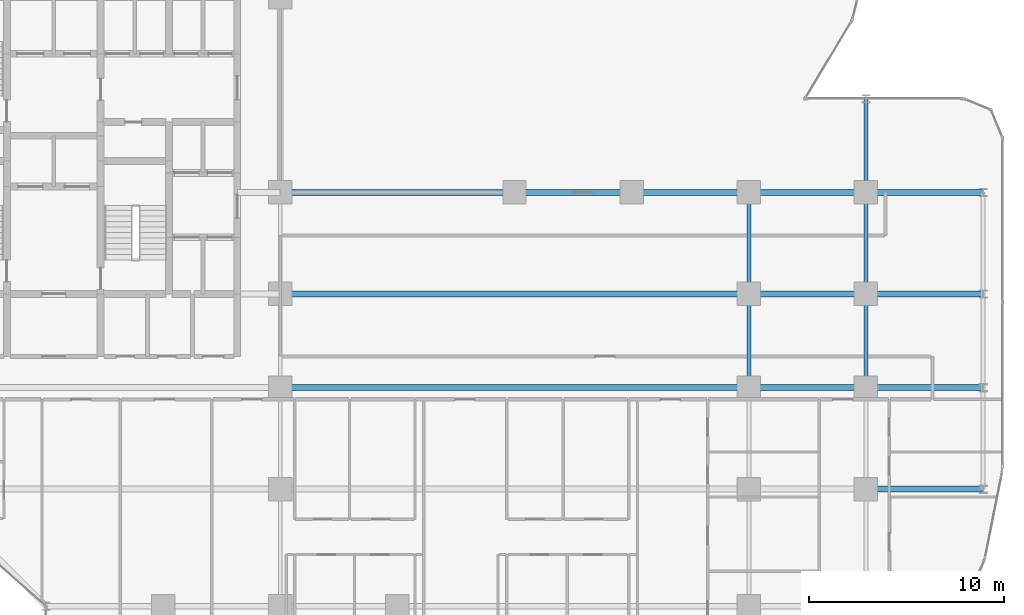
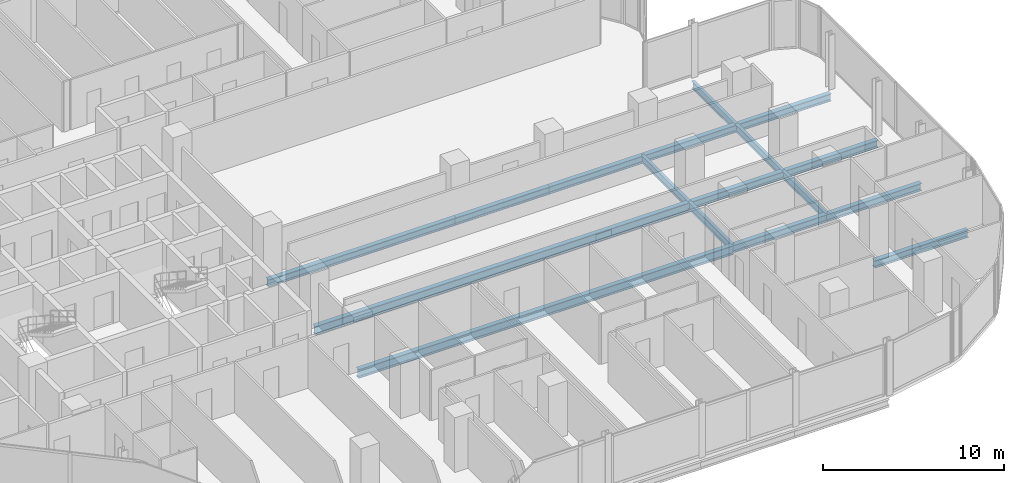
# One storey, part 11 of 33: 17 beams.
"""IFC4 building model written with IfcOpenShell, lengths in metres."""

from ifc_helpers import new_model, si_unit, direction, frame, origin, origin_2d, place, context, subcontext, project, spatial, i_section, extrude, material, material_profile, profile_set, type_object, element, save


model = new_model("IFC4")

# Units and contexts
model_context = context("Model", 3, precision=1e-05, world=origin(), true_north=direction((0.0, 1.0)))
body_context = subcontext(model_context, "Body", "Model", "MODEL_VIEW")
ifc_project = project(units=[si_unit("LENGTHUNIT", "METRE"), si_unit("AREAUNIT", "SQUARE_METRE"), si_unit("VOLUMEUNIT", "CUBIC_METRE"), si_unit("PLANEANGLEUNIT", "RADIAN"), si_unit("MASSUNIT", "GRAM", prefix="KILO")], contexts=[model_context])

# Site, building, storey
site_placement = place(None, origin())
site = spatial("IfcSite", under=ifc_project, at=site_placement, CompositionType="ELEMENT")
building_placement = place(site_placement, origin())
building = spatial("IfcBuilding", under=site, at=building_placement, Name="Keshet Zoharim Tower", CompositionType="ELEMENT")
storey_placement = place(building_placement, frame((0.0, 0.0, 73.800048828125)))
storey = spatial("IfcBuildingStorey", under=building, at=storey_placement, Name="L17", CompositionType="ELEMENT", Elevation=73.800048828125)

# Beams
ifc_material = material(Name="Steel S355", Category="steel")
ifc_material_profile_1 = material_profile(ifc_material, i_section(OverallWidth=0.300048828125, OverallDepth=0.60009765625, WebThickness=0.015380859375, FlangeThickness=0.030029296875, FilletRadius=0.027099609375, at=origin_2d()), Name="HEB600")
ifc_profile_set_1 = profile_set([ifc_material_profile_1], Name="Steel S355")
beam_type_1 = type_object("IfcBeamType", Name="BM-LNG-HB600", PredefinedType="BEAM", material=ifc_profile_set_1)
for number, where, z_axis, x_axis, name in (
    (1, (33.0, 17.89990234375, -0.614990234375), (1.0, 0.0, 0.0), (0.0, 1.0, 0.0), "L17 Primary Girder X-017"),
    (2, (33.0, 22.699951171875, -0.614990234375), (1.0, 0.0, 0.0), (0.0, 1.0, 0.0), "L17 Primary Girder X-020"),
):
    element("IfcBeam", number, at=place(storey_placement, frame(where, z_axis=z_axis, x_axis=x_axis)), inside=storey, type_object=beam_type_1, Name=name, PredefinedType="BEAM", context=body_context, shape_type="SweptSolid", body=[
        extrude(i_section(OverallWidth=0.300048828125, OverallDepth=0.60009765625, WebThickness=0.015380859375, FlangeThickness=0.030029296875, FilletRadius=0.027099609375, at=origin_2d()), origin(), (0.0, 0.0, 1.0), 24.0),
    ])
ifc_material_profile_2 = material_profile(ifc_material, i_section(OverallWidth=0.300048828125, OverallDepth=0.5, WebThickness=0.014404296875, FlangeThickness=0.028076171875, FilletRadius=0.027099609375, at=origin_2d()), Name="HEB500")
ifc_profile_set_2 = profile_set([ifc_material_profile_2], Name="Steel S355")
beam_type_2 = type_object("IfcBeamType", Name="BM-MED-HB500", PredefinedType="BEAM", material=ifc_profile_set_2)
beam_1_placement = place(storey_placement, frame((33.0, 27.89990234375, -0.56494140625), z_axis=(1.0, 0.0, 0.0), x_axis=(0.0, 1.0, 0.0)))
element("IfcBeam", 3, at=beam_1_placement, inside=storey, type_object=beam_type_2, Name="L17 Primary Girder X-023", PredefinedType="BEAM", context=body_context, shape_type="SweptSolid", body=[
    extrude(i_section(OverallWidth=0.300048828125, OverallDepth=0.5, WebThickness=0.014404296875, FlangeThickness=0.028076171875, FilletRadius=0.027099609375, at=origin_2d()), origin(), (0.0, 0.0, 1.0), 12.0),
])
ifc_material_profile_3 = material_profile(ifc_material, i_section(OverallWidth=0.199951171875, OverallDepth=0.5, WebThickness=0.01025390625, FlangeThickness=0.01611328125, FilletRadius=0.02099609375, at=origin_2d()), Name="IPE500")
ifc_profile_set_3 = profile_set([ifc_material_profile_3], Name="Steel S355")
beam_type_3 = type_object("IfcBeamType", Name="BM-PRI-IP500", PredefinedType="BEAM", material=ifc_profile_set_3)
beam_2_placement = place(storey_placement, frame((57.0, 17.89990234375, -0.56494140625), z_axis=(0.0, 1.0, 0.0), x_axis=(-1.0, 0.0, 0.0)))
element("IfcBeam", 4, at=beam_2_placement, inside=storey, type_object=beam_type_3, Name="L17 Primary Girder Y-016", PredefinedType="BEAM", context=body_context, shape_type="SweptSolid", body=[
    extrude(i_section(OverallWidth=0.199951171875, OverallDepth=0.5, WebThickness=0.01025390625, FlangeThickness=0.01611328125, FilletRadius=0.02099609375, at=origin_2d()), origin(), (0.0, 0.0, 1.0), 4.800048828125),
])
beam_3_placement = place(storey_placement, frame((57.0, 22.699951171875, -0.56494140625), z_axis=(0.0, 1.0, 0.0), x_axis=(-1.0, 0.0, 0.0)))
element("IfcBeam", 5, at=beam_3_placement, inside=storey, type_object=beam_type_3, Name="L17 Primary Girder Y-017", PredefinedType="BEAM", context=body_context, shape_type="SweptSolid", body=[
    extrude(i_section(OverallWidth=0.199951171875, OverallDepth=0.5, WebThickness=0.01025390625, FlangeThickness=0.01611328125, FilletRadius=0.02099609375, at=origin_2d()), origin(), (0.0, 0.0, 1.0), 5.199951171875),
])
beam_4_placement = place(storey_placement, frame((63.0, 17.89990234375, -0.56494140625), z_axis=(0.0, 1.0, 0.0), x_axis=(-1.0, 0.0, 0.0)))
element("IfcBeam", 6, at=beam_4_placement, inside=storey, type_object=beam_type_3, Name="L17 Primary Girder Y-020", PredefinedType="BEAM", context=body_context, shape_type="SweptSolid", body=[
    extrude(i_section(OverallWidth=0.199951171875, OverallDepth=0.5, WebThickness=0.01025390625, FlangeThickness=0.01611328125, FilletRadius=0.02099609375, at=origin_2d()), origin(), (0.0, 0.0, 1.0), 4.800048828125),
])
beam_5_placement = place(storey_placement, frame((63.0, 22.699951171875, -0.56494140625), z_axis=(0.0, 1.0, 0.0), x_axis=(-1.0, 0.0, 0.0)))
element("IfcBeam", 7, at=beam_5_placement, inside=storey, type_object=beam_type_3, Name="L17 Primary Girder Y-021", PredefinedType="BEAM", context=body_context, shape_type="SweptSolid", body=[
    extrude(i_section(OverallWidth=0.199951171875, OverallDepth=0.5, WebThickness=0.01025390625, FlangeThickness=0.01611328125, FilletRadius=0.02099609375, at=origin_2d()), origin(), (0.0, 0.0, 1.0), 5.199951171875),
])
beam_6_placement = place(storey_placement, frame((63.0, 27.89990234375, -0.56494140625), z_axis=(0.0, 1.0, 0.0), x_axis=(-1.0, 0.0, 0.0)))
element("IfcBeam", 8, at=beam_6_placement, inside=storey, type_object=beam_type_3, Name="L17 Primary Girder Y-022", PredefinedType="BEAM", context=body_context, shape_type="SweptSolid", body=[
    extrude(i_section(OverallWidth=0.199951171875, OverallDepth=0.5, WebThickness=0.01025390625, FlangeThickness=0.01611328125, FilletRadius=0.02099609375, at=origin_2d()), origin(), (0.0, 0.0, 1.0), 4.800048828125),
])
ifc_material_profile_4 = material_profile(ifc_material, i_section(OverallWidth=0.300048828125, OverallDepth=0.5, WebThickness=0.014404296875, FlangeThickness=0.028076171875, FilletRadius=0.027099609375, at=origin_2d()), Name="HEB500")
ifc_profile_set_4 = profile_set([ifc_material_profile_4], Name="Steel S355")
beam_type_4 = type_object("IfcBeamType", Name="BM-WEB-HB500", PredefinedType="BEAM", material=ifc_profile_set_4)
for number, where, z_axis, x_axis, name in (
    (9, (63.0, 12.699951171875, -0.56494140625), (1.0, 0.0, 0.0), (0.0, 1.0, 0.0), "L17 Primary Girder X-014"),
    (10, (57.0, 17.89990234375, -0.56494140625), (1.0, 0.0, 0.0), (0.0, 1.0, 0.0), "L17 Primary Girder X-018"),
    (11, (63.0, 17.89990234375, -0.56494140625), (1.0, 0.0, 0.0), (0.0, 1.0, 0.0), "L17 Primary Girder X-019"),
    (12, (57.0, 22.699951171875, -0.56494140625), (1.0, 0.0, 0.0), (0.0, 1.0, 0.0), "L17 Primary Girder X-021"),
    (13, (63.0, 22.699951171875, -0.56494140625), (1.0, 0.0, 0.0), (0.0, 1.0, 0.0), "L17 Primary Girder X-022"),
    (14, (45.0, 27.89990234375, -0.56494140625), (1.0, 0.0, 0.0), (0.0, 1.0, 0.0), "L17 Primary Girder X-024"),
    (15, (51.0, 27.89990234375, -0.56494140625), (1.0, 0.0, 0.0), (0.0, 1.0, 0.0), "L17 Primary Girder X-025"),
    (16, (57.0, 27.89990234375, -0.56494140625), (1.0, 0.0, 0.0), (0.0, 1.0, 0.0), "L17 Primary Girder X-026"),
    (17, (63.0, 27.89990234375, -0.56494140625), (1.0, 0.0, 0.0), (0.0, 1.0, 0.0), "L17 Primary Girder X-027"),
):
    element("IfcBeam", number, at=place(storey_placement, frame(where, z_axis=z_axis, x_axis=x_axis)), inside=storey, type_object=beam_type_4, Name=name, PredefinedType="BEAM", context=body_context, shape_type="SweptSolid", body=[
        extrude(i_section(OverallWidth=0.300048828125, OverallDepth=0.5, WebThickness=0.014404296875, FlangeThickness=0.028076171875, FilletRadius=0.027099609375, at=origin_2d()), origin(), (0.0, 0.0, 1.0), 6.0),
    ])

save(model, "model.ifc")
